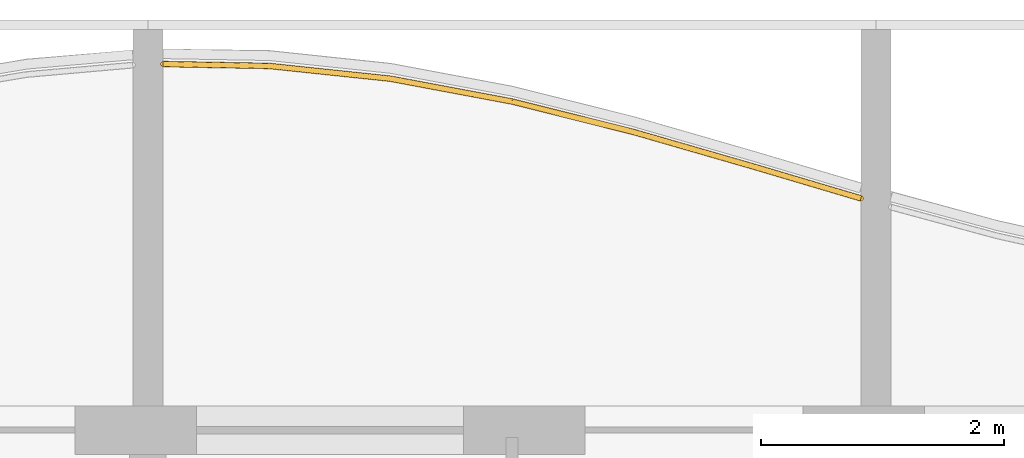
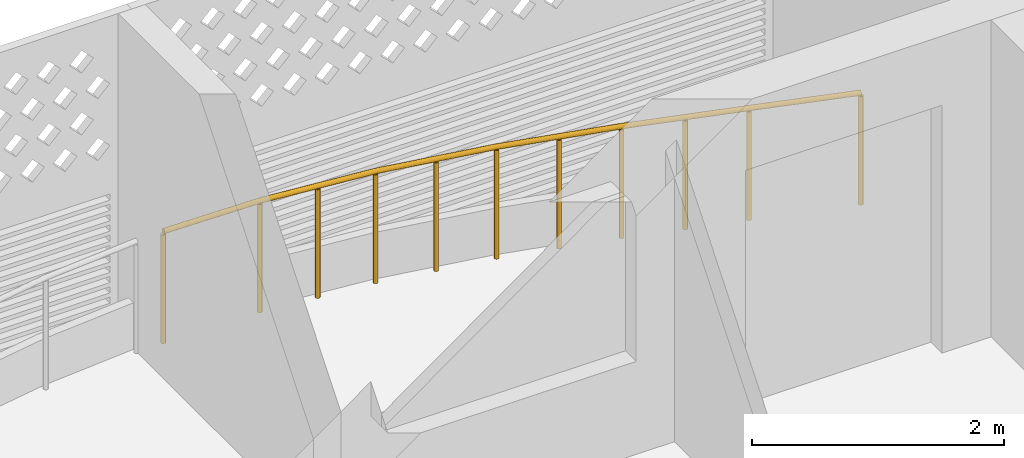
# One storey, part 19 of 32: 1 railing.
"""IFC4 building model written with IfcOpenShell, lengths in metres."""

from ifc_helpers import new_model, si_unit, direction, frame, origin, origin_2d, place, context, subcontext, project, spatial, circle, extrude, material, type_object, element, save


model = new_model("IFC4")

# Units and contexts
model_context = context("Model", 3, precision=1e-05, world=origin(), true_north=direction((0.0, 1.0)))
body_context = subcontext(model_context, "Body", "Model", "MODEL_VIEW")
ifc_project = project(units=[si_unit("LENGTHUNIT", "METRE"), si_unit("AREAUNIT", "SQUARE_METRE"), si_unit("VOLUMEUNIT", "CUBIC_METRE"), si_unit("PLANEANGLEUNIT", "RADIAN"), si_unit("MASSUNIT", "GRAM", prefix="KILO")], contexts=[model_context])

# Site, building, storey
site_placement = place(None, origin())
site = spatial("IfcSite", under=ifc_project, at=site_placement, CompositionType="ELEMENT")
building_placement = place(site_placement, origin())
building = spatial("IfcBuilding", under=site, at=building_placement, Name="Poui Terraces", CompositionType="ELEMENT")
storey_placement = place(building_placement, frame((0.0, 0.0, 122.39990234375)))
storey = spatial("IfcBuildingStorey", under=building, at=storey_placement, Name="L33", CompositionType="ELEMENT", Elevation=122.39990234375)

# Railing
ifc_material = material(Name="Painted steel fretwork", Category="steel")
railing_type = type_object("IfcRailingType", Name="BALCONY GUARD 1100", PredefinedType="GUARDRAIL", material=ifc_material)
railing_placement = place(storey_placement, frame((24.125, 45.4169921875, 0.0)))
element("IfcRailing", 1, at=railing_placement, inside=storey, type_object=railing_type, Name="BALCONY GUARD", PredefinedType="GUARDRAIL", context=body_context, shape_type="SweptSolid", body=[
    extrude(circle(Radius=0.02392578125, at=origin_2d()), frame((0.0, 0.0, 1.076171875), z_axis=(0.999840599345, -0.017854296417, 0.0), x_axis=(0.017854296417, 0.999840599345, 0.0)), (0.0, 0.0, 1.0), 0.875244140625),
    extrude(circle(Radius=0.02392578125, at=origin_2d()), frame((0.875, -0.015625, 1.076171875), z_axis=(0.994509443434, -0.104646867705, 0.0), x_axis=(0.104646867705, 0.994509443434, 0.0)), (0.0, 0.0, 1.0), 1.005615234375),
    extrude(circle(Radius=0.02392578125, at=origin_2d()), frame((1.875, -0.120849609375, 1.076171875), z_axis=(0.982828697247, -0.184520329146, 0.0), x_axis=(0.184520329146, 0.982828697247, 0.0)), (0.0, 0.0, 1.0), 1.017578125),
    extrude(circle(Radius=0.02392578125, at=origin_2d()), frame((2.875, -0.30859375, 1.076171875), z_axis=(0.969975109493, -0.243204208362, 0.0), x_axis=(0.243204208362, 0.969975109493, 0.0)), (0.0, 0.0, 1.0), 1.031005859375),
    extrude(circle(Radius=0.02392578125, at=origin_2d()), frame((3.875, -0.559326171875, 1.076171875), z_axis=(0.960857222001, -0.277044037887, 0.0), x_axis=(0.277044037887, 0.960857222001, 0.0)), (0.0, 0.0, 1.0), 1.040771484375),
    extrude(circle(Radius=0.02392578125, at=origin_2d()), frame((4.875, -0.84765625, 1.076171875), z_axis=(0.9587927149, -0.284106546658, 0.0), x_axis=(0.284106546658, 0.9587927149, 0.0)), (0.0, 0.0, 1.0), 0.91259765625),
    extrude(circle(Radius=0.02099609375, at=origin_2d()), origin(), (0.0, 0.0, 1.0), 1.052001953125),
    extrude(circle(Radius=0.02099609375, at=origin_2d()), frame((0.875, -0.015625, 0.0)), (0.0, 0.0, 1.0), 1.052001953125),
    extrude(circle(Radius=0.02099609375, at=origin_2d()), frame((1.375, -0.068359375, 0.0)), (0.0, 0.0, 1.0), 1.052001953125),
    extrude(circle(Radius=0.02099609375, at=origin_2d()), frame((1.875, -0.120849609375, 0.0)), (0.0, 0.0, 1.0), 1.052001953125),
    extrude(circle(Radius=0.02099609375, at=origin_2d()), frame((2.375, -0.21484375, 0.0)), (0.0, 0.0, 1.0), 1.052001953125),
    extrude(circle(Radius=0.02099609375, at=origin_2d()), frame((2.875, -0.30859375, 0.0)), (0.0, 0.0, 1.0), 1.052001953125),
    extrude(circle(Radius=0.02099609375, at=origin_2d()), frame((3.375, -0.43408203125, 0.0)), (0.0, 0.0, 1.0), 1.052001953125),
    extrude(circle(Radius=0.02099609375, at=origin_2d()), frame((3.875, -0.559326171875, 0.0)), (0.0, 0.0, 1.0), 1.052001953125),
    extrude(circle(Radius=0.02099609375, at=origin_2d()), frame((4.375, -0.70361328125, 0.0)), (0.0, 0.0, 1.0), 1.052001953125),
    extrude(circle(Radius=0.02099609375, at=origin_2d()), frame((4.875, -0.84765625, 0.0)), (0.0, 0.0, 1.0), 1.052001953125),
    extrude(circle(Radius=0.02099609375, at=origin_2d()), frame((5.75, -1.10693359375, 0.0)), (0.0, 0.0, 1.0), 1.052001953125),
])

save(model, "model.ifc")
